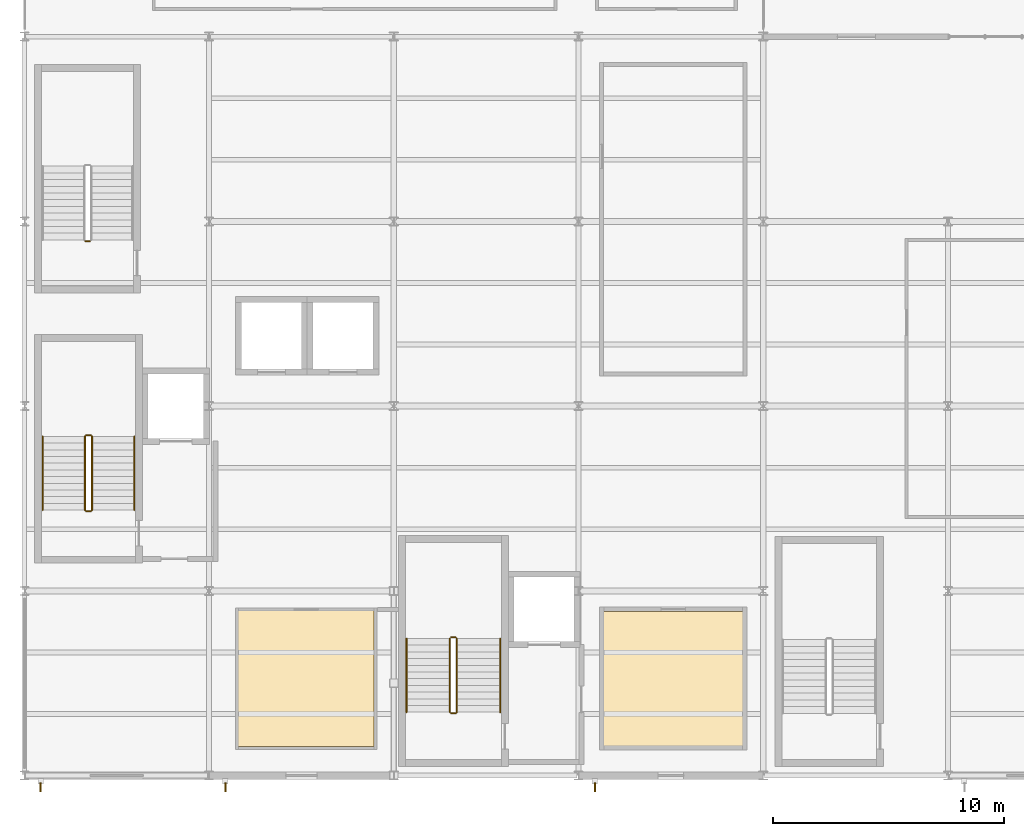
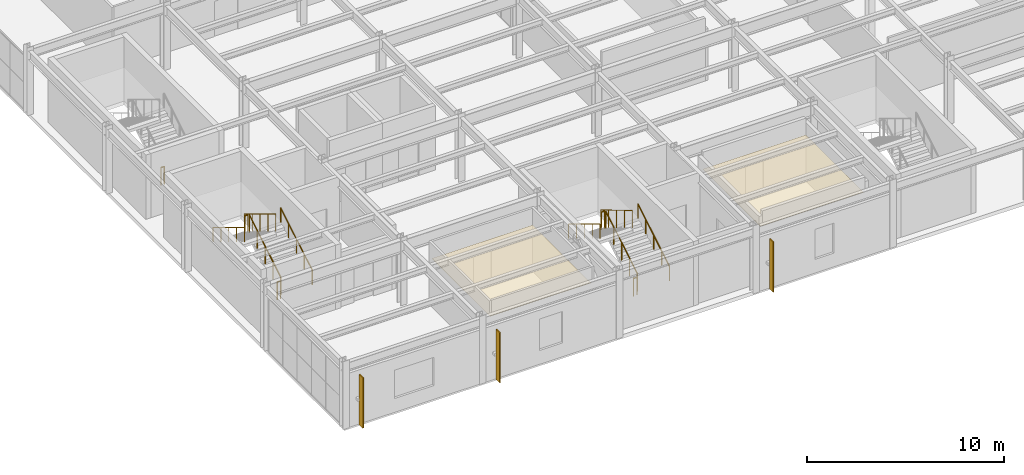
# One storey, part 64 of 67: 13 railings, 3 shading devices, 2 coverings.
"""IFC4 building model written with IfcOpenShell, lengths in metres."""

from ifc_helpers import new_model, si_unit, direction, frame, origin, origin_2d, place, context, subcontext, project, spatial, polyline, rectangle, circle, outline, extrude, material, layer, layer_set, type_object, element, save


model = new_model("IFC4")

# Units and contexts
model_context = context("Model", 3, precision=1e-05, world=origin(), true_north=direction((0.0, 1.0)))
body_context = subcontext(model_context, "Body", "Model", "MODEL_VIEW")
ifc_project = project(units=[si_unit("LENGTHUNIT", "METRE"), si_unit("AREAUNIT", "SQUARE_METRE"), si_unit("VOLUMEUNIT", "CUBIC_METRE"), si_unit("PLANEANGLEUNIT", "RADIAN"), si_unit("MASSUNIT", "GRAM", prefix="KILO")], contexts=[model_context])

# Site, building, storey
site_placement = place(None, origin())
site = spatial("IfcSite", under=ifc_project, at=site_placement, CompositionType="ELEMENT")
building_placement = place(site_placement, origin())
building = spatial("IfcBuilding", under=site, at=building_placement, Name="Drelvath Fold Interchange", CompositionType="ELEMENT")
storey_placement = place(building_placement, frame((0.0, 0.0, 15.60009765625)))
storey = spatial("IfcBuildingStorey", under=building, at=storey_placement, Name="L03", CompositionType="ELEMENT", Elevation=15.60009765625)

# Coverings
ifc_material_1 = material(Name="Perforated Aluminium Acoustic Ceiling", Category="aluminium")
ifc_layer = layer(ifc_material_1, 0.01806640625, Name="Perforated Aluminium Acoustic Ceiling")
ifc_layer_set = layer_set([ifc_layer], Name="Perforated Aluminium Acoustic Ceiling")
covering_type = type_object("IfcCoveringType", Name="CV-CEIL-AL18", PredefinedType="CEILING", material=ifc_layer_set)
covering_1_placement = place(storey_placement, frame((0.0, 0.0, 2.829833984375)))
element("IfcCovering", 1, at=covering_1_placement, inside=storey, type_object=covering_type, Name="Signalling Systems Engineering Office acoustic ceiling", PredefinedType="CEILING", context=body_context, shape_type="SweptSolid", body=[
    extrude(outline(polyline([(13.2548828125, 4.2548828125), (19.14501953125, 4.2548828125), (19.14501953125, 10.14501953125), (13.2548828125, 10.14501953125), (13.2548828125, 4.2548828125)])), origin(), (0.0, 0.0, 1.0), 0.02001953125),
])
covering_2_placement = place(storey_placement, frame((0.0, 0.0, 2.829833984375)))
element("IfcCovering", 2, at=covering_2_placement, inside=storey, type_object=covering_type, Name="Redundant Fibre Telecom Server Room acoustic ceiling", PredefinedType="CEILING", context=body_context, shape_type="SweptSolid", body=[
    extrude(outline(polyline([(29.0869140625, 4.2880859375), (35.113037109375, 4.2880859375), (35.113037109375, 10.112060546875), (29.0869140625, 10.112060546875), (29.0869140625, 4.2880859375)])), origin(), (0.0, 0.0, 1.0), 0.02001953125),
])

# Railings
ifc_material_2 = material(Name="Stainless Steel 316L", Category="steel")
railing_type_1 = type_object("IfcRailingType", Name="RL-GRD1100", PredefinedType="GUARDRAIL", material=ifc_material_2)
railing_1_placement = place(storey_placement, frame((6.929931640625, 14.5, 0.1748046875)))
element("IfcRailing", 3, at=railing_1_placement, inside=storey, type_object=railing_type_1, Name="L03 ST-01 stair guard 1", PredefinedType="GUARDRAIL", context=body_context, shape_type="SweptSolid", body=[
    extrude(circle(Radius=0.02392578125, at=origin_2d()), frame((0.0, 0.0, 1.076171875), z_axis=(0.0, 0.856177665481, 0.516681531633), x_axis=(-1.0, 0.0, 0.0)), (0.0, 0.0, 1.0), 3.725830078125),
    extrude(circle(Radius=0.02099609375, at=origin_2d()), origin(), (0.0, 0.0, 1.0), 1.052001953125),
    extrude(circle(Radius=0.02099609375, at=origin_2d()), frame((0.0, 0.79736328125, 0.481201171875)), (0.0, 0.0, 1.0), 1.052001953125),
    extrude(circle(Radius=0.02099609375, at=origin_2d()), frame((0.0, 1.594970703125, 0.96240234375)), (0.0, 0.0, 1.0), 1.052001953125),
    extrude(circle(Radius=0.02099609375, at=origin_2d()), frame((0.0, 2.392578125, 1.44384765625)), (0.0, 0.0, 1.0), 1.052001953125),
    extrude(circle(Radius=0.02099609375, at=origin_2d()), frame((0.0, 3.18994140625, 1.925048828125)), (0.0, 0.0, 1.0), 1.052001953125),
])
railing_2_placement = place(storey_placement, frame((6.8798828125, 17.739990234375, 2.099853515625)))
element("IfcRailing", 4, at=railing_2_placement, inside=storey, type_object=railing_type_1, Name="L03 ST-01 stair guard 2", PredefinedType="GUARDRAIL", context=body_context, shape_type="SweptSolid", body=[
    extrude(circle(Radius=0.02392578125, at=origin_2d()), frame((0.0, 0.0, 1.076171875), z_axis=(-1.0, 0.0, 0.0), x_axis=(0.0, -1.0, 0.0)), (0.0, 0.0, 1.0), 0.199951171875),
    extrude(circle(Radius=0.02099609375, at=origin_2d()), origin(), (0.0, 0.0, 1.0), 1.052001953125),
    extrude(circle(Radius=0.02099609375, at=origin_2d()), frame((-0.199951171875, 0.0, 0.0)), (0.0, 0.0, 1.0), 1.052001953125),
])
railing_3_placement = place(storey_placement, frame((6.6298828125, 17.68994140625, 2.27490234375)))
element("IfcRailing", 5, at=railing_3_placement, inside=storey, type_object=railing_type_1, Name="L03 ST-01 stair guard 3", PredefinedType="GUARDRAIL", context=body_context, shape_type="SweptSolid", body=[
    extrude(circle(Radius=0.02392578125, at=origin_2d()), frame((0.0, 0.0, 1.076171875), z_axis=(0.0, -0.856177665481, 0.516681531633), x_axis=(1.0, 0.0, 0.0)), (0.0, 0.0, 1.0), 3.725830078125),
    extrude(circle(Radius=0.02099609375, at=origin_2d()), origin(), (0.0, 0.0, 1.0), 1.052001953125),
    extrude(circle(Radius=0.02099609375, at=origin_2d()), frame((0.0, -0.79736328125, 0.481201171875)), (0.0, 0.0, 1.0), 1.052001953125),
    extrude(circle(Radius=0.02099609375, at=origin_2d()), frame((0.0, -1.594970703125, 0.96240234375)), (0.0, 0.0, 1.0), 1.052001953125),
    extrude(circle(Radius=0.02099609375, at=origin_2d()), frame((0.0, -2.392578125, 1.44384765625)), (0.0, 0.0, 1.0), 1.052001953125),
    extrude(circle(Radius=0.02099609375, at=origin_2d()), frame((0.0, -3.18994140625, 1.925048828125)), (0.0, 0.0, 1.0), 1.052001953125),
])
railing_4_placement = place(storey_placement, frame((6.8798828125, 14.449951171875, 0.0)))
element("IfcRailing", 6, at=railing_4_placement, inside=storey, type_object=railing_type_1, Name="L03 ST-01 stair guard 4", PredefinedType="GUARDRAIL", context=body_context, shape_type="SweptSolid", body=[
    extrude(circle(Radius=0.02392578125, at=origin_2d()), frame((0.0, 0.0, 1.076171875), z_axis=(-1.0, 0.0, 0.0), x_axis=(0.0, -1.0, 0.0)), (0.0, 0.0, 1.0), 0.199951171875),
    extrude(circle(Radius=0.02099609375, at=origin_2d()), origin(), (0.0, 0.0, 1.0), 1.052001953125),
    extrude(circle(Radius=0.02099609375, at=origin_2d()), frame((-0.199951171875, 0.0, 0.0)), (0.0, 0.0, 1.0), 1.052001953125),
])
railing_5_placement = place(storey_placement, frame((6.840087890625, 26.14990234375, 0.0)))
element("IfcRailing", 7, at=railing_5_placement, inside=storey, type_object=railing_type_1, Name="L03 ST-02 stair guard 4", PredefinedType="GUARDRAIL", context=body_context, shape_type="SweptSolid", body=[
    extrude(circle(Radius=0.02392578125, at=origin_2d()), frame((0.0, 0.0, 1.076171875), z_axis=(-1.0, 0.0, 0.0), x_axis=(0.0, -1.0, 0.0)), (0.0, 0.0, 1.0), 0.2001953125),
    extrude(circle(Radius=0.02099609375, at=origin_2d()), origin(), (0.0, 0.0, 1.0), 1.052001953125),
    extrude(circle(Radius=0.02099609375, at=origin_2d()), frame((-0.2001953125, 0.0, 0.0)), (0.0, 0.0, 1.0), 1.052001953125),
])
railing_6_placement = place(storey_placement, frame((22.72998046875, 5.75, 0.1748046875)))
element("IfcRailing", 8, at=railing_6_placement, inside=storey, type_object=railing_type_1, Name="L03 ST-03 stair guard 1", PredefinedType="GUARDRAIL", context=body_context, shape_type="SweptSolid", body=[
    extrude(circle(Radius=0.02392578125, at=origin_2d()), frame((0.0, 0.0, 1.076171875), z_axis=(0.0, 0.856177665481, 0.516681531633), x_axis=(-1.0, 0.0, 0.0)), (0.0, 0.0, 1.0), 3.725830078125),
    extrude(circle(Radius=0.02099609375, at=origin_2d()), origin(), (0.0, 0.0, 1.0), 1.052001953125),
    extrude(circle(Radius=0.02099609375, at=origin_2d()), frame((0.0, 0.79736328125, 0.481201171875)), (0.0, 0.0, 1.0), 1.052001953125),
    extrude(circle(Radius=0.02099609375, at=origin_2d()), frame((0.0, 1.594970703125, 0.96240234375)), (0.0, 0.0, 1.0), 1.052001953125),
    extrude(circle(Radius=0.02099609375, at=origin_2d()), frame((0.0, 2.392578125, 1.44384765625)), (0.0, 0.0, 1.0), 1.052001953125),
    extrude(circle(Radius=0.02099609375, at=origin_2d()), frame((0.0, 3.18994140625, 1.925048828125)), (0.0, 0.0, 1.0), 1.052001953125),
])
railing_7_placement = place(storey_placement, frame((22.679931640625, 8.989990234375, 2.099853515625)))
element("IfcRailing", 9, at=railing_7_placement, inside=storey, type_object=railing_type_1, Name="L03 ST-03 stair guard 2", PredefinedType="GUARDRAIL", context=body_context, shape_type="SweptSolid", body=[
    extrude(circle(Radius=0.02392578125, at=origin_2d()), frame((0.0, 0.0, 1.076171875), z_axis=(-1.0, 0.0, 0.0), x_axis=(0.0, -1.0, 0.0)), (0.0, 0.0, 1.0), 0.199951171875),
    extrude(circle(Radius=0.02099609375, at=origin_2d()), origin(), (0.0, 0.0, 1.0), 1.052001953125),
    extrude(circle(Radius=0.02099609375, at=origin_2d()), frame((-0.199951171875, 0.0, 0.0)), (0.0, 0.0, 1.0), 1.052001953125),
])
railing_8_placement = place(storey_placement, frame((22.429931640625, 8.93994140625, 2.27490234375)))
element("IfcRailing", 10, at=railing_8_placement, inside=storey, type_object=railing_type_1, Name="L03 ST-03 stair guard 3", PredefinedType="GUARDRAIL", context=body_context, shape_type="SweptSolid", body=[
    extrude(circle(Radius=0.02392578125, at=origin_2d()), frame((0.0, 0.0, 1.076171875), z_axis=(0.0, -0.856177665481, 0.516681531633), x_axis=(1.0, 0.0, 0.0)), (0.0, 0.0, 1.0), 3.725830078125),
    extrude(circle(Radius=0.02099609375, at=origin_2d()), origin(), (0.0, 0.0, 1.0), 1.052001953125),
    extrude(circle(Radius=0.02099609375, at=origin_2d()), frame((0.0, -0.79736328125, 0.481201171875)), (0.0, 0.0, 1.0), 1.052001953125),
    extrude(circle(Radius=0.02099609375, at=origin_2d()), frame((0.0, -1.594970703125, 0.96240234375)), (0.0, 0.0, 1.0), 1.052001953125),
    extrude(circle(Radius=0.02099609375, at=origin_2d()), frame((0.0, -2.392578125, 1.44384765625)), (0.0, 0.0, 1.0), 1.052001953125),
    extrude(circle(Radius=0.02099609375, at=origin_2d()), frame((0.0, -3.18994140625, 1.925048828125)), (0.0, 0.0, 1.0), 1.052001953125),
])
railing_9_placement = place(storey_placement, frame((22.679931640625, 5.699951171875, 0.0)))
element("IfcRailing", 11, at=railing_9_placement, inside=storey, type_object=railing_type_1, Name="L03 ST-03 stair guard 4", PredefinedType="GUARDRAIL", context=body_context, shape_type="SweptSolid", body=[
    extrude(circle(Radius=0.02392578125, at=origin_2d()), frame((0.0, 0.0, 1.076171875), z_axis=(-1.0, 0.0, 0.0), x_axis=(0.0, -1.0, 0.0)), (0.0, 0.0, 1.0), 0.199951171875),
    extrude(circle(Radius=0.02099609375, at=origin_2d()), origin(), (0.0, 0.0, 1.0), 1.052001953125),
    extrude(circle(Radius=0.02099609375, at=origin_2d()), frame((-0.199951171875, 0.0, 0.0)), (0.0, 0.0, 1.0), 1.052001953125),
])
railing_type_2 = type_object("IfcRailingType", Name="RL-HND920", PredefinedType="HANDRAIL", material=ifc_material_2)
railing_10_placement = place(storey_placement, frame((8.760009765625, 14.5, 0.1748046875)))
element("IfcRailing", 12, at=railing_10_placement, inside=storey, type_object=railing_type_2, Name="L03 ST-01 stair handrail 1", PredefinedType="HANDRAIL", context=body_context, shape_type="SweptSolid", body=[
    extrude(circle(Radius=0.02392578125, at=origin_2d()), frame((0.0, 0.0, 0.8759765625), z_axis=(0.0, 0.856177665481, 0.516681531633), x_axis=(-1.0, 0.0, 0.0)), (0.0, 0.0, 1.0), 3.725830078125),
    extrude(circle(Radius=0.02099609375, at=origin_2d()), origin(), (0.0, 0.0, 1.0), 0.851806640625),
    extrude(circle(Radius=0.02099609375, at=origin_2d()), frame((0.0, 0.79736328125, 0.481201171875)), (0.0, 0.0, 1.0), 0.851806640625),
    extrude(circle(Radius=0.02099609375, at=origin_2d()), frame((0.0, 1.594970703125, 0.96240234375)), (0.0, 0.0, 1.0), 0.851806640625),
    extrude(circle(Radius=0.02099609375, at=origin_2d()), frame((0.0, 2.392578125, 1.44384765625)), (0.0, 0.0, 1.0), 0.851806640625),
    extrude(circle(Radius=0.02099609375, at=origin_2d()), frame((0.0, 3.18994140625, 1.925048828125)), (0.0, 0.0, 1.0), 0.851806640625),
])
railing_11_placement = place(storey_placement, frame((4.800048828125, 17.68994140625, 2.27490234375)))
element("IfcRailing", 13, at=railing_11_placement, inside=storey, type_object=railing_type_2, Name="L03 ST-01 stair handrail 2", PredefinedType="HANDRAIL", context=body_context, shape_type="SweptSolid", body=[
    extrude(circle(Radius=0.02392578125, at=origin_2d()), frame((0.0, 0.0, 0.8759765625), z_axis=(0.0, -0.856177665481, 0.516681531633), x_axis=(1.0, 0.0, 0.0)), (0.0, 0.0, 1.0), 3.725830078125),
    extrude(circle(Radius=0.02099609375, at=origin_2d()), origin(), (0.0, 0.0, 1.0), 0.851806640625),
    extrude(circle(Radius=0.02099609375, at=origin_2d()), frame((0.0, -0.79736328125, 0.481201171875)), (0.0, 0.0, 1.0), 0.851806640625),
    extrude(circle(Radius=0.02099609375, at=origin_2d()), frame((0.0, -1.594970703125, 0.96240234375)), (0.0, 0.0, 1.0), 0.851806640625),
    extrude(circle(Radius=0.02099609375, at=origin_2d()), frame((0.0, -2.392578125, 1.44384765625)), (0.0, 0.0, 1.0), 0.851806640625),
    extrude(circle(Radius=0.02099609375, at=origin_2d()), frame((0.0, -3.18994140625, 1.925048828125)), (0.0, 0.0, 1.0), 0.851806640625),
])
railing_12_placement = place(storey_placement, frame((24.610107421875, 5.75, 0.1748046875)))
element("IfcRailing", 14, at=railing_12_placement, inside=storey, type_object=railing_type_2, Name="L03 ST-03 stair handrail 1", PredefinedType="HANDRAIL", context=body_context, shape_type="SweptSolid", body=[
    extrude(circle(Radius=0.02392578125, at=origin_2d()), frame((0.0, 0.0, 0.8759765625), z_axis=(0.0, 0.856177665481, 0.516681531633), x_axis=(-1.0, 0.0, 0.0)), (0.0, 0.0, 1.0), 3.725830078125),
    extrude(circle(Radius=0.02099609375, at=origin_2d()), origin(), (0.0, 0.0, 1.0), 0.851806640625),
    extrude(circle(Radius=0.02099609375, at=origin_2d()), frame((0.0, 0.79736328125, 0.481201171875)), (0.0, 0.0, 1.0), 0.851806640625),
    extrude(circle(Radius=0.02099609375, at=origin_2d()), frame((0.0, 1.594970703125, 0.96240234375)), (0.0, 0.0, 1.0), 0.851806640625),
    extrude(circle(Radius=0.02099609375, at=origin_2d()), frame((0.0, 2.392578125, 1.44384765625)), (0.0, 0.0, 1.0), 0.851806640625),
    extrude(circle(Radius=0.02099609375, at=origin_2d()), frame((0.0, 3.18994140625, 1.925048828125)), (0.0, 0.0, 1.0), 0.851806640625),
])
railing_13_placement = place(storey_placement, frame((20.550048828125, 8.93994140625, 2.27490234375)))
element("IfcRailing", 15, at=railing_13_placement, inside=storey, type_object=railing_type_2, Name="L03 ST-03 stair handrail 2", PredefinedType="HANDRAIL", context=body_context, shape_type="SweptSolid", body=[
    extrude(circle(Radius=0.02392578125, at=origin_2d()), frame((0.0, 0.0, 0.8759765625), z_axis=(0.0, -0.856177665481, 0.516681531633), x_axis=(1.0, 0.0, 0.0)), (0.0, 0.0, 1.0), 3.725830078125),
    extrude(circle(Radius=0.02099609375, at=origin_2d()), origin(), (0.0, 0.0, 1.0), 0.851806640625),
    extrude(circle(Radius=0.02099609375, at=origin_2d()), frame((0.0, -0.79736328125, 0.481201171875)), (0.0, 0.0, 1.0), 0.851806640625),
    extrude(circle(Radius=0.02099609375, at=origin_2d()), frame((0.0, -1.594970703125, 0.96240234375)), (0.0, 0.0, 1.0), 0.851806640625),
    extrude(circle(Radius=0.02099609375, at=origin_2d()), frame((0.0, -2.392578125, 1.44384765625)), (0.0, 0.0, 1.0), 0.851806640625),
    extrude(circle(Radius=0.02099609375, at=origin_2d()), frame((0.0, -3.18994140625, 1.925048828125)), (0.0, 0.0, 1.0), 0.851806640625),
])

# Shading devices
ifc_material_3 = material(Name="Anodized Aluminium 6063-T6", Category="aluminium")
shading_device_type = type_object("IfcShadingDeviceType", Name="SD-FIN380", PredefinedType="JALOUSIE", material=ifc_material_3)
for number, where, z_axis, x_axis, name in (
    (16, (4.7099609375, 2.492919921875, 0.099853515625), (0.0, 0.0, 1.0), (0.0, 1.0, 0.0), "Vertical aluminium solar fin 28"),
    (17, (12.7099609375, 2.492919921875, 0.099853515625), (0.0, 0.0, 1.0), (0.0, 1.0, 0.0), "Vertical aluminium solar fin 29"),
    (18, (28.7099609375, 2.492919921875, 0.099853515625), (0.0, 0.0, 1.0), (0.0, 1.0, 0.0), "Vertical aluminium solar fin 30"),
):
    element("IfcShadingDevice", number, at=place(storey_placement, frame(where, z_axis=z_axis, x_axis=x_axis)), inside=storey, type_object=shading_device_type, Name=name, PredefinedType="JALOUSIE", context=body_context, shape_type="SweptSolid", body=[
        extrude(rectangle(XDim=0.3798828125, YDim=0.06494140625, at=origin_2d()), origin(), (0.0, 0.0, 1.0), 3.10009765625),
    ])

save(model, "model.ifc")
